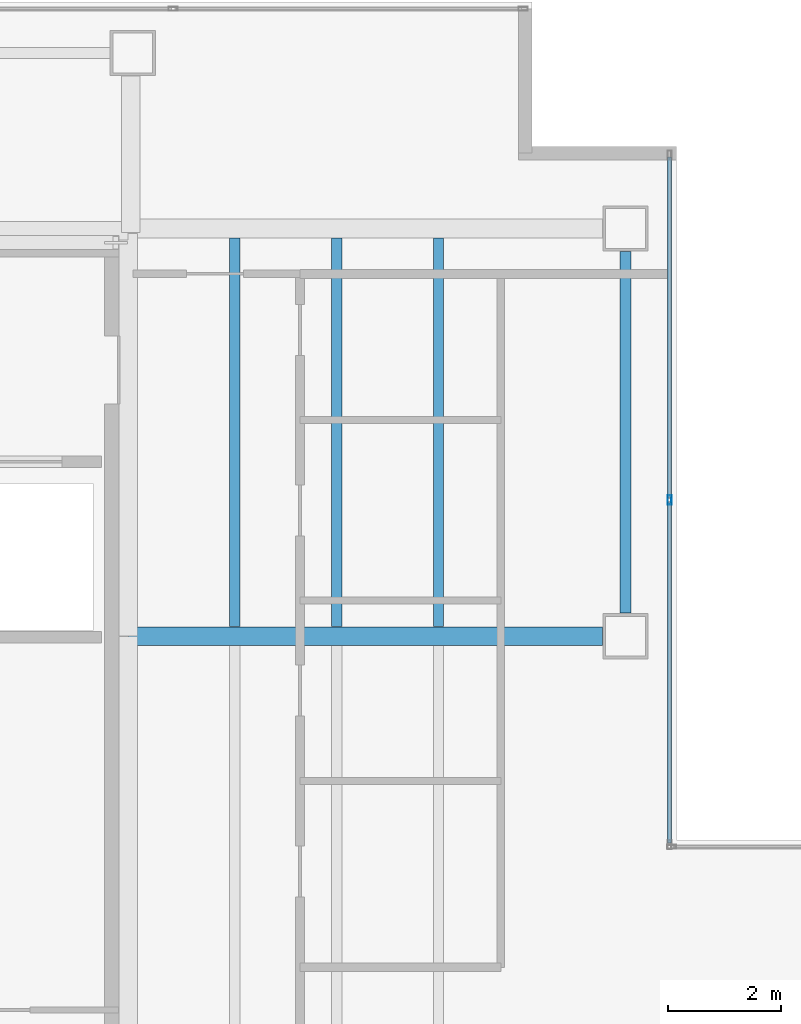
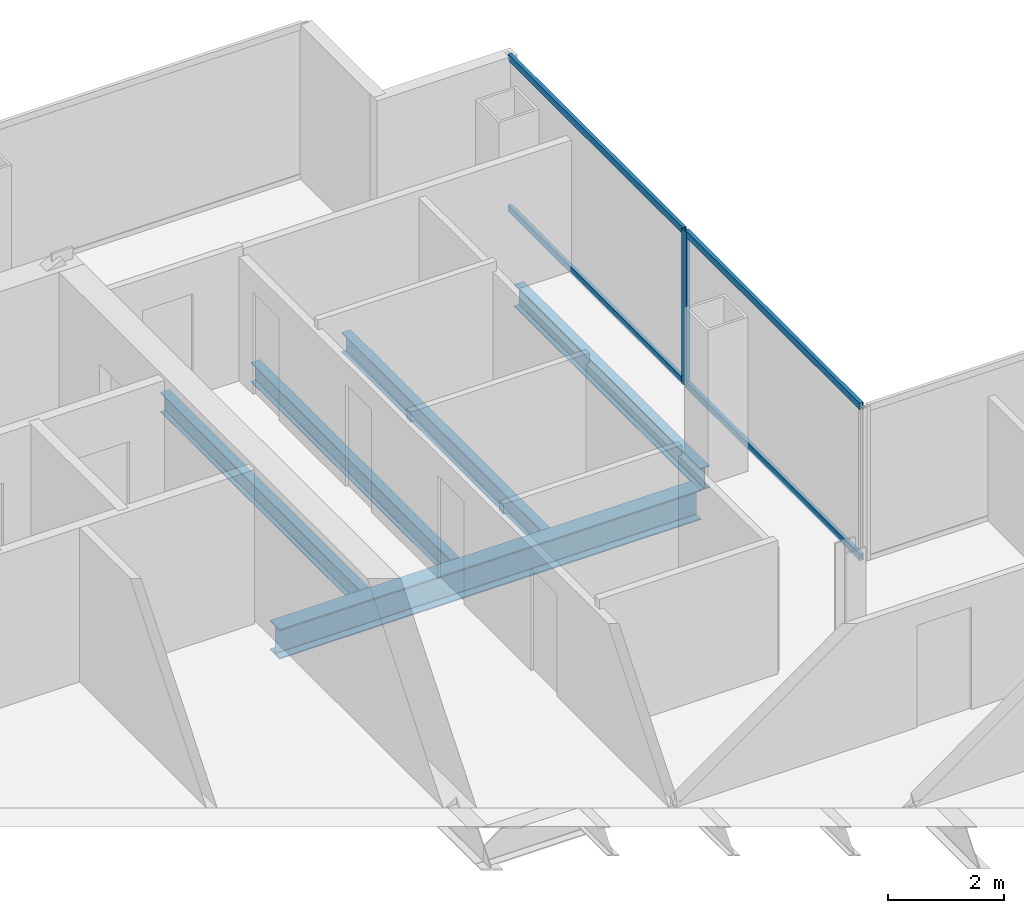
# One storey, part 9 of 23: 5 beams, 5 members, 1 element without a shape of its own.
"""IFC4 building model written with IfcOpenShell, lengths in metres."""

from ifc_helpers import new_model, si_unit, direction, frame, origin, origin_2d, place, context, subcontext, project, spatial, hollow_rectangle, i_section, extrude, material, material_profile, profile_set, type_object, element, aggregate, save


model = new_model("IFC4")

# Units and contexts
model_context = context("Model", 3, precision=1e-05, world=origin(), true_north=direction((0.0, 1.0)))
body_context = subcontext(model_context, "Body", "Model", "MODEL_VIEW")
ifc_project = project(units=[si_unit("LENGTHUNIT", "METRE"), si_unit("AREAUNIT", "SQUARE_METRE"), si_unit("VOLUMEUNIT", "CUBIC_METRE"), si_unit("PLANEANGLEUNIT", "RADIAN"), si_unit("MASSUNIT", "GRAM", prefix="KILO")], contexts=[model_context])

# Site, building, storey
site_placement = place(None, origin())
site = spatial("IfcSite", under=ifc_project, at=site_placement, CompositionType="ELEMENT")
building_placement = place(site_placement, origin())
building = spatial("IfcBuilding", under=site, at=building_placement, Name="Cobrela Telecom Tower", CompositionType="ELEMENT")
storey_placement = place(building_placement, frame((0.0, 0.0, 194.25)))
storey = spatial("IfcBuildingStorey", under=building, at=storey_placement, Name="L49", CompositionType="ELEMENT", Elevation=194.25)

# Beams
ifc_material_1 = material(Name="Steel ASTM A992 Grade 50", Category="steel")
ifc_material_profile_1 = material_profile(ifc_material_1, i_section(OverallWidth=0.327880859375, OverallDepth=0.6220703125, WebThickness=0.015380859375, FlangeThickness=0.0244140625, FilletRadius=0.014892578125, at=origin_2d()), Name="W24X131")
ifc_profile_set_1 = profile_set([ifc_material_profile_1], Name="Steel ASTM A992 Grade 50")
beam_type_1 = type_object("IfcBeamType", Name="BM-GIRD-06", PredefinedType="USERDEFINED", material=ifc_profile_set_1)
beam_1_placement = place(storey_placement, frame((14.324951171875, 28.800048828125, -0.571044921875), z_axis=(1.0, 0.0, 0.0), x_axis=(0.0, 1.0, 0.0)))
element("IfcBeam", 1, at=beam_1_placement, inside=storey, type_object=beam_type_1, Name="L49 Primary Girder X19", ObjectType="GIRDER", PredefinedType="USERDEFINED", context=body_context, shape_type="SweptSolid", body=[
    extrude(i_section(OverallWidth=0.327880859375, OverallDepth=0.6220703125, WebThickness=0.015380859375, FlangeThickness=0.0244140625, FilletRadius=0.014892578125, at=origin_2d()), origin(), (0.0, 0.0, 1.0), 8.3701171875),
])
ifc_material_profile_2 = material_profile(ifc_material_1, i_section(OverallWidth=0.179931640625, OverallDepth=0.4169921875, WebThickness=0.010986328125, FlangeThickness=0.01806640625, FilletRadius=0.011962890625, at=origin_2d()), Name="W16X57")
ifc_profile_set_2 = profile_set([ifc_material_profile_2], Name="Steel ASTM A992 Grade 50")
beam_type_2 = type_object("IfcBeamType", Name="BM-JOIST-04", PredefinedType="JOIST", material=ifc_profile_set_2)
for number, where, z_axis, x_axis, name in (
    (2, (16.199951171875, 28.968994140625, -0.468505859375), (0.0, 1.0, 0.0), (-1.0, 0.0, 0.0), "L49 Secondary Composite Floor Beam J04"),
    (3, (18.0, 28.968994140625, -0.468505859375), (0.0, 1.0, 0.0), (-1.0, 0.0, 0.0), "L49 Secondary Composite Floor Beam J08"),
    (4, (19.800048828125, 28.968994140625, -0.468505859375), (0.0, 1.0, 0.0), (-1.0, 0.0, 0.0), "L49 Secondary Composite Floor Beam J12"),
):
    element("IfcBeam", number, at=place(storey_placement, frame(where, z_axis=z_axis, x_axis=x_axis)), inside=storey, type_object=beam_type_2, Name=name, PredefinedType="JOIST", context=body_context, shape_type="SweptSolid", body=[
        extrude(i_section(OverallWidth=0.179931640625, OverallDepth=0.4169921875, WebThickness=0.010986328125, FlangeThickness=0.01806640625, FilletRadius=0.011962890625, at=origin_2d()), origin(), (0.0, 0.0, 1.0), 6.862060546875),
    ])
ifc_material_profile_3 = material_profile(ifc_material_1, i_section(OverallWidth=0.193115234375, OverallDepth=0.467041015625, WebThickness=0.011474609375, FlangeThickness=0.01904296875, FilletRadius=0.012939453125, at=origin_2d()), Name="W18X65")
ifc_profile_set_3 = profile_set([ifc_material_profile_3], Name="Steel ASTM A992 Grade 50")
beam_type_3 = type_object("IfcBeamType", Name="BM-SPAND-05", PredefinedType="SPANDREL", material=ifc_profile_set_3)
beam_2_placement = place(storey_placement, frame((23.10009765625, 29.205078125, -0.493408203125), z_axis=(0.0, 1.0, 0.0), x_axis=(-1.0, 0.0, 0.0)))
element("IfcBeam", 5, at=beam_2_placement, inside=storey, type_object=beam_type_3, Name="L49 Perimeter Spandrel Y35", PredefinedType="SPANDREL", context=body_context, shape_type="SweptSolid", body=[
    extrude(i_section(OverallWidth=0.193115234375, OverallDepth=0.467041015625, WebThickness=0.011474609375, FlangeThickness=0.01904296875, FilletRadius=0.012939453125, at=origin_2d()), origin(), (0.0, 0.0, 1.0), 6.389892578125),
])

# Curtain wall, members
ifc_material_2 = material(Name="Anodized Bronze Aluminium 6063-T6", Category="aluminium")
curtain_wall_type = type_object("IfcCurtainWallType", Name="CW-SYS-OFF-LO", PredefinedType="USERDEFINED", material=ifc_material_2)
curtain_wall_placement = place(storey_placement, origin())
curtain_wall = element("IfcCurtainWall", 6, at=curtain_wall_placement, inside=storey, type_object=curtain_wall_type, Name="L49 Unitised Bronze Curtain Wall 10", ObjectType="UNITISED CURTAIN WALL", PredefinedType="USERDEFINED")
ifc_material_profile_4 = material_profile(ifc_material_2, hollow_rectangle(XDim=0.070068359375, YDim=0.159912109375, WallThickness=0.00390625, at=origin_2d()), Name="ALU 70x160x4")
ifc_profile_set_4 = profile_set([ifc_material_profile_4], Name="Anodized Bronze Aluminium 6063-T6")
member_type_1 = type_object("IfcMemberType", Name="CW-SYS-OFF-LO-MUL", PredefinedType="MULLION", material=ifc_profile_set_4)
member_1_placement = place(storey_placement, frame((23.8798828125, 31.205078125, 0.0), z_axis=(0.0, 0.0, 1.0), x_axis=(1.0, 0.0, 0.0)))
member_1 = element("IfcMember", 7, at=member_1_placement, type_object=member_type_1, Name="CW-OFF-LO mullion 2", PredefinedType="MULLION", context=body_context, shape_type="SweptSolid", body=[
    extrude(hollow_rectangle(XDim=0.070068359375, YDim=0.159912109375, WallThickness=0.00390625, at=origin_2d()), origin(), (0.0, 0.0, 1.0), 3.239990234375),
])
ifc_material_profile_5 = material_profile(ifc_material_2, hollow_rectangle(XDim=0.070068359375, YDim=0.139892578125, WallThickness=0.00390625, at=origin_2d()), Name="ALU 70x140x4")
ifc_profile_set_5 = profile_set([ifc_material_profile_5], Name="Anodized Bronze Aluminium 6063-T6")
member_type_2 = type_object("IfcMemberType", Name="CW-SYS-OFF-LO-TRN", PredefinedType="USERDEFINED", material=ifc_profile_set_5)
member_2_placement = place(storey_placement, frame((23.8798828125, 37.260009765625, 0.034912109375), z_axis=(0.0, -1.0, 0.0), x_axis=(1.0, 0.0, 0.0)))
member_2 = element("IfcMember", 8, at=member_2_placement, type_object=member_type_2, Name="CW-OFF-LO transom 1.1", ObjectType="TRANSOM", PredefinedType="USERDEFINED", context=body_context, shape_type="SweptSolid", body=[
    extrude(hollow_rectangle(XDim=0.070068359375, YDim=0.139892578125, WallThickness=0.00390625, at=origin_2d()), origin(), (0.0, 0.0, 1.0), 6.02001953125),
])
member_3_placement = place(storey_placement, frame((23.8798828125, 37.260009765625, 3.205078125), z_axis=(0.0, -1.0, 0.0), x_axis=(1.0, 0.0, 0.0)))
member_3 = element("IfcMember", 9, at=member_3_placement, type_object=member_type_2, Name="CW-OFF-LO transom 1.2", ObjectType="TRANSOM", PredefinedType="USERDEFINED", context=body_context, shape_type="SweptSolid", body=[
    extrude(hollow_rectangle(XDim=0.070068359375, YDim=0.139892578125, WallThickness=0.00390625, at=origin_2d()), origin(), (0.0, 0.0, 1.0), 6.02001953125),
])
member_4_placement = place(storey_placement, frame((23.8798828125, 31.169921875, 0.034912109375), z_axis=(0.0, -1.0, 0.0), x_axis=(1.0, 0.0, 0.0)))
member_4 = element("IfcMember", 10, at=member_4_placement, type_object=member_type_2, Name="CW-OFF-LO transom 2.1", ObjectType="TRANSOM", PredefinedType="USERDEFINED", context=body_context, shape_type="SweptSolid", body=[
    extrude(hollow_rectangle(XDim=0.070068359375, YDim=0.139892578125, WallThickness=0.00390625, at=origin_2d()), origin(), (0.0, 0.0, 1.0), 6.02001953125),
])
member_5_placement = place(storey_placement, frame((23.8798828125, 31.169921875, 3.205078125), z_axis=(0.0, -1.0, 0.0), x_axis=(1.0, 0.0, 0.0)))
member_5 = element("IfcMember", 11, at=member_5_placement, type_object=member_type_2, Name="CW-OFF-LO transom 2.2", ObjectType="TRANSOM", PredefinedType="USERDEFINED", context=body_context, shape_type="SweptSolid", body=[
    extrude(hollow_rectangle(XDim=0.070068359375, YDim=0.139892578125, WallThickness=0.00390625, at=origin_2d()), origin(), (0.0, 0.0, 1.0), 6.02001953125),
])
aggregate(curtain_wall, [member_1, member_2, member_3, member_4, member_5])

save(model, "model.ifc")
